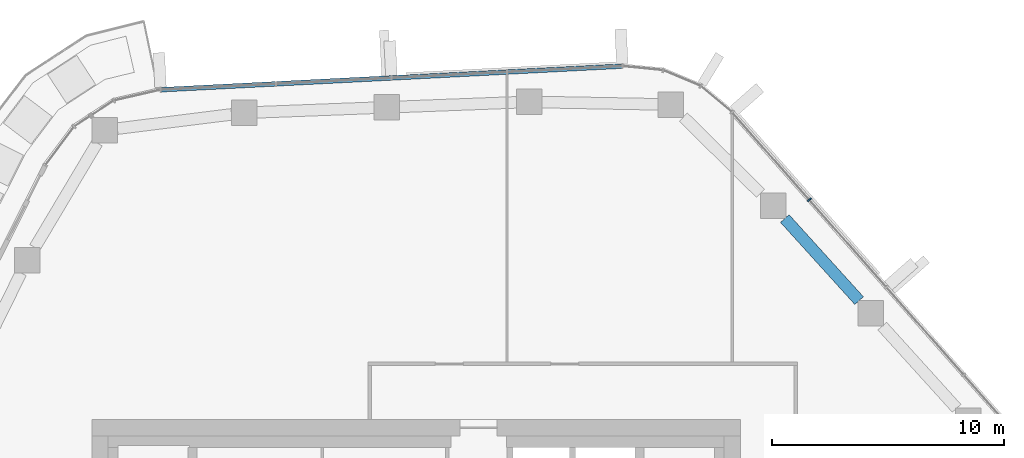
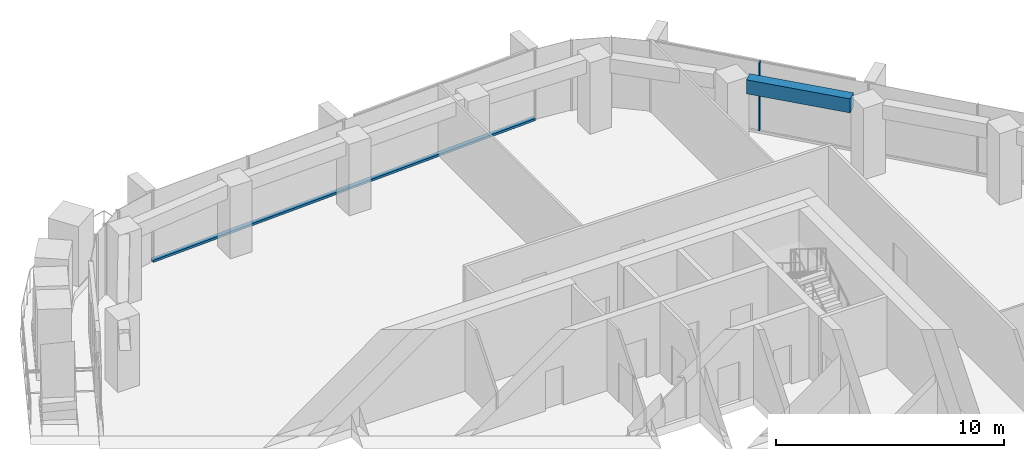
# One storey, part 8 of 22: 2 members, 1 beam, 2 elements without a shape of their own.
"""IFC4 building model written with IfcOpenShell, lengths in metres."""

from ifc_helpers import new_model, si_unit, direction, frame, origin, origin_2d, place, context, subcontext, project, spatial, rectangle, extrude, material, layer, layer_set, material_profile, profile_set, type_object, element, aggregate, save


model = new_model("IFC4")

# Units and contexts
model_context = context("Model", 3, precision=1e-05, world=origin(), true_north=direction((0.0, 1.0)))
body_context = subcontext(model_context, "Body", "Model", "MODEL_VIEW")
ifc_project = project(units=[si_unit("LENGTHUNIT", "METRE"), si_unit("AREAUNIT", "SQUARE_METRE"), si_unit("VOLUMEUNIT", "CUBIC_METRE"), si_unit("PLANEANGLEUNIT", "RADIAN"), si_unit("MASSUNIT", "GRAM", prefix="KILO")], contexts=[model_context])

# Site, building, storey
site_placement = place(None, origin())
site = spatial("IfcSite", under=ifc_project, at=site_placement, CompositionType="ELEMENT")
building_placement = place(site_placement, origin())
building = spatial("IfcBuilding", under=site, at=building_placement, Name="Dongbaek Canopy Tower", CompositionType="ELEMENT")
storey_placement = place(building_placement, frame((0.0, 0.0, 237.0)))
storey = spatial("IfcBuildingStorey", under=building, at=storey_placement, Name="L49", CompositionType="ELEMENT", Elevation=237.0)

# Curtain wall, member
ifc_material_1 = material(Name="Aluminium 6063-T6 pale anodised", Category="aluminium")
ifc_layer = layer(ifc_material_1, 0.199951171875)
ifc_layer_set = layer_set([ifc_layer], Name="CW-1 unitised tower curtain wall")
curtain_wall_type = type_object("IfcCurtainWallType", Name="CW-1 unitised tower curtain wall", PredefinedType="NOTDEFINED", material=ifc_layer_set)
curtain_wall_1_placement = place(storey_placement, origin())
curtain_wall_1 = element("IfcCurtainWall", 1, at=curtain_wall_1_placement, inside=storey, type_object=curtain_wall_type, Name="CW-1 curtain wall F0.1", PredefinedType="NOTDEFINED")
ifc_material_2 = material(Name="Aluminium 6063-T6 pale anodised", Category="aluminium")
ifc_material_profile_1 = material_profile(ifc_material_2, rectangle(XDim=0.199951171875, YDim=0.06005859375, at=origin_2d()), Name="CW-1 mullion 60 x 200")
ifc_profile_set_1 = profile_set([ifc_material_profile_1], Name="Aluminium 6063-T6 pale anodised")
member_type_1 = type_object("IfcMemberType", Name="CW-1 mullion 60 x 200", PredefinedType="MULLION", material=ifc_profile_set_1)
member_1_placement = place(storey_placement, frame((16.976318359375, 20.491455078125, 0.1201171875), z_axis=(0.0, 0.0, 1.0), x_axis=(0.749829254199, 0.661631384947, 0.0)))
member_1 = element("IfcMember", 2, at=member_1_placement, type_object=member_type_1, Name="CW-1 mullion F0.1.4", PredefinedType="MULLION", context=body_context, shape_type="SweptSolid", body=[
    extrude(rectangle(XDim=0.199951171875, YDim=0.06005859375, at=origin_2d()), origin(), (0.0, 0.0, 1.0), 3.6298828125),
])
aggregate(curtain_wall_1, [member_1])

curtain_wall_2_placement = place(storey_placement, origin())
curtain_wall_2 = element("IfcCurtainWall", 3, at=curtain_wall_2_placement, inside=storey, type_object=curtain_wall_type, Name="CW-1 curtain wall F1.1", PredefinedType="NOTDEFINED")
ifc_material_3 = material(Name="Aluminium 6063-T6 pale anodised", Category="aluminium")
ifc_material_profile_2 = material_profile(ifc_material_3, rectangle(XDim=0.199951171875, YDim=0.1201171875, at=origin_2d()), Name="CW-1 transom 120 x 200")
ifc_profile_set_2 = profile_set([ifc_material_profile_2], Name="Aluminium 6063-T6 pale anodised")
member_type_2 = type_object("IfcMemberType", Name="CW-1 transom 120 x 200", PredefinedType="USERDEFINED", material=ifc_profile_set_2)
member_2_placement = place(storey_placement, frame((8.908447265625, 26.258544921875, 0.06005859375), z_axis=(-0.998690084747, -0.051167515365, 0.0), x_axis=(0.051167515365, -0.998690084747, 0.0)))
member_2 = element("IfcMember", 4, at=member_2_placement, type_object=member_type_2, Name="CW-1 transom F1.1.1", ObjectType="TRANSOM", PredefinedType="USERDEFINED", context=body_context, shape_type="SweptSolid", body=[
    extrude(rectangle(XDim=0.199951171875, YDim=0.1201171875, at=origin_2d()), origin(), (0.0, 0.0, 1.0), 19.958740234375),
])
aggregate(curtain_wall_2, [member_2])

# Beam
ifc_material_4 = material(Name="Concrete C70", Category="concrete")
ifc_material_profile_3 = material_profile(ifc_material_4, rectangle(XDim=0.5, YDim=0.75, at=origin_2d()), Name="RC EDGE BEAM 500x750 C70")
ifc_profile_set_3 = profile_set([ifc_material_profile_3], Name="Concrete C70")
beam_type = type_object("IfcBeamType", Name="RC EDGE BEAM 500x750 C70", PredefinedType="BEAM", material=ifc_profile_set_3)
beam_placement = place(storey_placement, frame((15.916015625, 19.678955078125, 3.445068359375), z_axis=(0.671330225436, -0.741158369322, 0.0), x_axis=(0.741158369322, 0.671330225436, 0.0)))
element("IfcBeam", 5, at=beam_placement, inside=storey, type_object=beam_type, Name="EDGEBEAM:L49:18", PredefinedType="BEAM", context=body_context, shape_type="SweptSolid", body=[
    extrude(rectangle(XDim=0.5, YDim=0.75, at=origin_2d()), origin(), (0.0, 0.0, 1.0), 4.782958984375),
])

save(model, "model.ifc")
